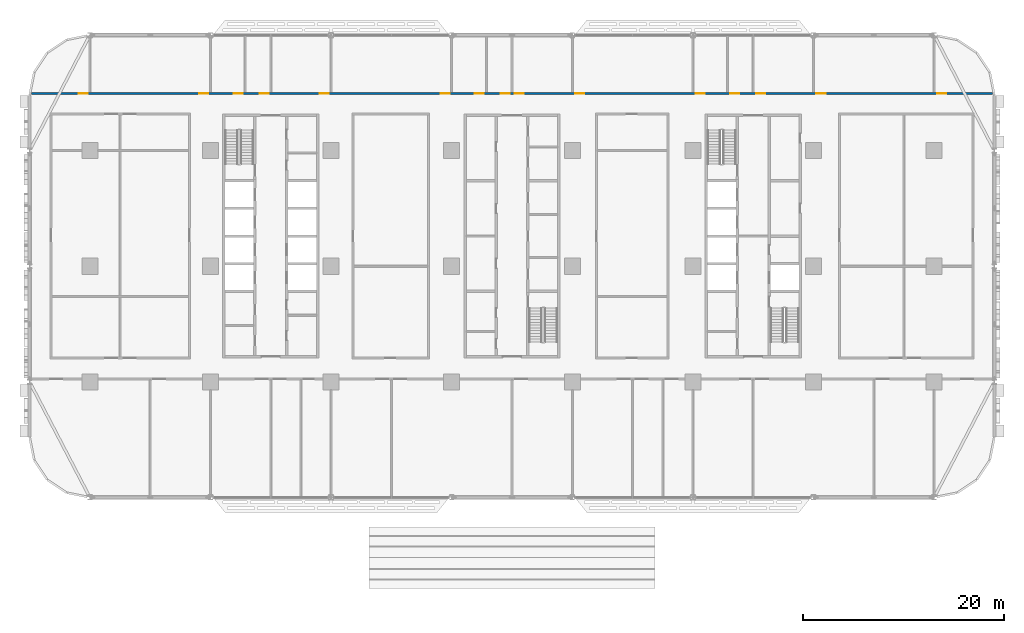
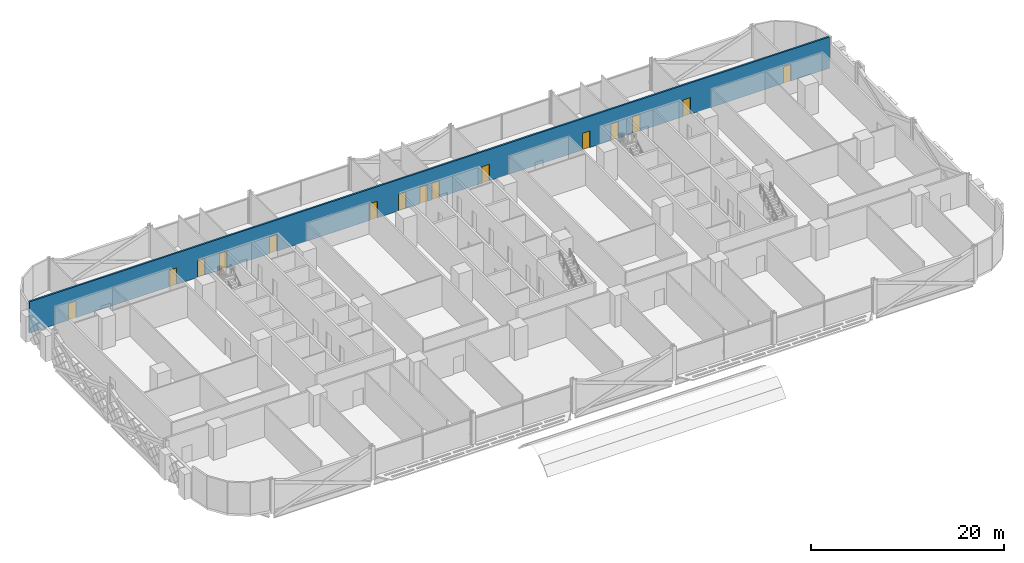
# One storey, part 12 of 26: 15 doors, 1 wall, 15 openings.
"""IFC4 building model written with IfcOpenShell, lengths in metres."""

from ifc_helpers import new_model, si_unit, direction, frame, frame_2d, origin, place, context, subcontext, project, spatial, rectangle, extrude, material, layer, layer_set, type_object, element, fill, save


model = new_model("IFC4")

# Units and contexts
model_context = context("Model", 3, precision=1e-05, world=origin(), true_north=direction((0.0, 1.0)))
body_context = subcontext(model_context, "Body", "Model", "MODEL_VIEW")
ifc_project = project(units=[si_unit("LENGTHUNIT", "METRE"), si_unit("AREAUNIT", "SQUARE_METRE"), si_unit("VOLUMEUNIT", "CUBIC_METRE"), si_unit("PLANEANGLEUNIT", "RADIAN"), si_unit("MASSUNIT", "GRAM", prefix="KILO")], contexts=[model_context])

# Site, building, storey
site_placement = place(None, origin())
site = spatial("IfcSite", under=ifc_project, at=site_placement, CompositionType="ELEMENT")
building_placement = place(site_placement, origin())
building = spatial("IfcBuilding", under=site, at=building_placement, Name="Mahtab Terrace Research Tower", CompositionType="ELEMENT")
storey_placement = place(building_placement, frame((0.0, 0.0, 15.800048828125)))
storey = spatial("IfcBuildingStorey", under=building, at=storey_placement, Name="L03", CompositionType="ELEMENT", Elevation=15.800048828125)

# Wall, openings, doors
ifc_material_1 = material(Name="Gypsum board corridor wall on steel studs", Category="steel")
ifc_layer = layer(ifc_material_1, 0.199951171875)
ifc_layer_set = layer_set([ifc_layer], Name="WALL CORRIDOR 200")
wall_type = type_object("IfcWallType", Name="WALL CORRIDOR 200", PredefinedType="PARTITIONING", material=ifc_layer_set)
wall_placement = place(storey_placement, frame((-47.807373046875, 17.199951171875, 0.0), z_axis=(0.0, 0.0, 1.0), x_axis=(1.0, 0.0, 0.0)))
wall = element("IfcWall", 1, at=wall_placement, inside=storey, type_object=wall_type, Name="L03-W026", PredefinedType="PARTITIONING", context=body_context, shape_type="SweptSolid", body=[
    extrude(rectangle(XDim=95.61474609375, YDim=0.199951171875, at=frame_2d((47.807373046875, 0.0))), origin(), (0.0, 0.0, 1.0), 3.9599609375),
])
opening_1_placement = place(wall_placement, frame((4.699951171875, 0.0, 0.0)))
opening_1 = element("IfcOpeningElement", 2, at=opening_1_placement, cuts=wall, Name="Opening L03-131", PredefinedType="OPENING", context=body_context, shape_type="SweptSolid", body=[
    extrude(rectangle(XDim=0.89990234375, YDim=2.10009765625, at=frame_2d((0.449951171875, 1.050048828125))), frame((0.0, 0.10986328125, 0.0), z_axis=(0.0, -1.0, 0.0), x_axis=(1.0, 0.0, 0.0)), (0.0, 0.0, 1.0), 0.219970703125),
])
opening_2_placement = place(wall_placement, frame((16.699951171875, 0.0, 0.0)))
opening_2 = element("IfcOpeningElement", 3, at=opening_2_placement, cuts=wall, Name="Opening L03-132", PredefinedType="OPENING", context=body_context, shape_type="SweptSolid", body=[
    extrude(rectangle(XDim=0.89990234375, YDim=2.10009765625, at=frame_2d((0.449951171875, 1.050048828125))), frame((0.0, 0.10986328125, 0.0), z_axis=(0.0, -1.0, 0.0), x_axis=(1.0, 0.0, 0.0)), (0.0, 0.0, 1.0), 0.219970703125),
])
opening_3_placement = place(wall_placement, frame((20.10009765625, 0.0, 0.0)))
opening_3 = element("IfcOpeningElement", 4, at=opening_3_placement, cuts=wall, Name="Opening L03-133", PredefinedType="OPENING", context=body_context, shape_type="SweptSolid", body=[
    extrude(rectangle(XDim=0.89990234375, YDim=2.10009765625, at=frame_2d((0.449951171875, 1.050048828125))), frame((0.0, 0.10986328125, 0.0), z_axis=(0.0, -1.0, 0.0), x_axis=(1.0, 0.0, 0.0)), (0.0, 0.0, 1.0), 0.219970703125),
])
opening_4_placement = place(wall_placement, frame((22.699951171875, 0.0, 0.0)))
opening_4 = element("IfcOpeningElement", 5, at=opening_4_placement, cuts=wall, Name="Opening L03-134", PredefinedType="OPENING", context=body_context, shape_type="SweptSolid", body=[
    extrude(rectangle(XDim=0.89990234375, YDim=2.10009765625, at=frame_2d((0.449951171875, 1.050048828125))), frame((0.0, 0.10986328125, 0.0), z_axis=(0.0, -1.0, 0.0), x_axis=(1.0, 0.0, 0.0)), (0.0, 0.0, 1.0), 0.219970703125),
])
opening_5_placement = place(wall_placement, frame((28.699951171875, 0.0, 0.0)))
opening_5 = element("IfcOpeningElement", 6, at=opening_5_placement, cuts=wall, Name="Opening L03-135", PredefinedType="OPENING", context=body_context, shape_type="SweptSolid", body=[
    extrude(rectangle(XDim=0.89990234375, YDim=2.10009765625, at=frame_2d((0.449951171875, 1.050048828125))), frame((0.0, 0.10986328125, 0.0), z_axis=(0.0, -1.0, 0.0), x_axis=(1.0, 0.0, 0.0)), (0.0, 0.0, 1.0), 0.219970703125),
])
opening_6_placement = place(wall_placement, frame((40.699951171875, 0.0, 0.0)))
opening_6 = element("IfcOpeningElement", 7, at=opening_6_placement, cuts=wall, Name="Opening L03-136", PredefinedType="OPENING", context=body_context, shape_type="SweptSolid", body=[
    extrude(rectangle(XDim=0.89990234375, YDim=2.10009765625, at=frame_2d((0.449951171875, 1.050048828125))), frame((0.0, 0.10986328125, 0.0), z_axis=(0.0, -1.0, 0.0), x_axis=(1.0, 0.0, 0.0)), (0.0, 0.0, 1.0), 0.219970703125),
])
opening_7_placement = place(wall_placement, frame((44.10009765625, 0.0, 0.0)))
opening_7 = element("IfcOpeningElement", 8, at=opening_7_placement, cuts=wall, Name="Opening L03-137", PredefinedType="OPENING", context=body_context, shape_type="SweptSolid", body=[
    extrude(rectangle(XDim=0.89990234375, YDim=2.10009765625, at=frame_2d((0.449951171875, 1.050048828125))), frame((0.0, 0.10986328125, 0.0), z_axis=(0.0, -1.0, 0.0), x_axis=(1.0, 0.0, 0.0)), (0.0, 0.0, 1.0), 0.219970703125),
])
opening_8_placement = place(wall_placement, frame((46.699951171875, 0.0, 0.0)))
opening_8 = element("IfcOpeningElement", 9, at=opening_8_placement, cuts=wall, Name="Opening L03-138", PredefinedType="OPENING", context=body_context, shape_type="SweptSolid", body=[
    extrude(rectangle(XDim=0.89990234375, YDim=2.10009765625, at=frame_2d((0.449951171875, 1.050048828125))), frame((0.0, 0.10986328125, 0.0), z_axis=(0.0, -1.0, 0.0), x_axis=(1.0, 0.0, 0.0)), (0.0, 0.0, 1.0), 0.219970703125),
])
opening_9_placement = place(wall_placement, frame((48.10009765625, 0.0, 0.0)))
opening_9 = element("IfcOpeningElement", 10, at=opening_9_placement, cuts=wall, Name="Opening L03-139", PredefinedType="OPENING", context=body_context, shape_type="SweptSolid", body=[
    extrude(rectangle(XDim=0.89990234375, YDim=2.10009765625, at=frame_2d((0.449951171875, 1.050048828125))), frame((0.0, 0.10986328125, 0.0), z_axis=(0.0, -1.0, 0.0), x_axis=(1.0, 0.0, 0.0)), (0.0, 0.0, 1.0), 0.219970703125),
])
opening_10_placement = place(wall_placement, frame((54.10009765625, 0.0, 0.0)))
opening_10 = element("IfcOpeningElement", 11, at=opening_10_placement, cuts=wall, Name="Opening L03-140", PredefinedType="OPENING", context=body_context, shape_type="SweptSolid", body=[
    extrude(rectangle(XDim=0.89990234375, YDim=2.10009765625, at=frame_2d((0.449951171875, 1.050048828125))), frame((0.0, 0.10986328125, 0.0), z_axis=(0.0, -1.0, 0.0), x_axis=(1.0, 0.0, 0.0)), (0.0, 0.0, 1.0), 0.219970703125),
])
opening_11_placement = place(wall_placement, frame((66.10009765625, 0.0, 0.0)))
opening_11 = element("IfcOpeningElement", 12, at=opening_11_placement, cuts=wall, Name="Opening L03-141", PredefinedType="OPENING", context=body_context, shape_type="SweptSolid", body=[
    extrude(rectangle(XDim=0.89990234375, YDim=2.10009765625, at=frame_2d((0.449951171875, 1.050048828125))), frame((0.0, 0.10986328125, 0.0), z_axis=(0.0, -1.0, 0.0), x_axis=(1.0, 0.0, 0.0)), (0.0, 0.0, 1.0), 0.219970703125),
])
opening_12_placement = place(wall_placement, frame((69.5, 0.0, 0.0)))
opening_12 = element("IfcOpeningElement", 13, at=opening_12_placement, cuts=wall, Name="Opening L03-142", PredefinedType="OPENING", context=body_context, shape_type="SweptSolid", body=[
    extrude(rectangle(XDim=0.89990234375, YDim=2.10009765625, at=frame_2d((0.449951171875, 1.050048828125))), frame((0.0, 0.10986328125, 0.0), z_axis=(0.0, -1.0, 0.0), x_axis=(1.0, 0.0, 0.0)), (0.0, 0.0, 1.0), 0.219970703125),
])
opening_13_placement = place(wall_placement, frame((72.10009765625, 0.0, 0.0)))
opening_13 = element("IfcOpeningElement", 14, at=opening_13_placement, cuts=wall, Name="Opening L03-143", PredefinedType="OPENING", context=body_context, shape_type="SweptSolid", body=[
    extrude(rectangle(XDim=0.89990234375, YDim=2.10009765625, at=frame_2d((0.449951171875, 1.050048828125))), frame((0.0, 0.10986328125, 0.0), z_axis=(0.0, -1.0, 0.0), x_axis=(1.0, 0.0, 0.0)), (0.0, 0.0, 1.0), 0.219970703125),
])
opening_14_placement = place(wall_placement, frame((78.10009765625, 0.0, 0.0)))
opening_14 = element("IfcOpeningElement", 15, at=opening_14_placement, cuts=wall, Name="Opening L03-144", PredefinedType="OPENING", context=body_context, shape_type="SweptSolid", body=[
    extrude(rectangle(XDim=0.89990234375, YDim=2.10009765625, at=frame_2d((0.449951171875, 1.050048828125))), frame((0.0, 0.10986328125, 0.0), z_axis=(0.0, -1.0, 0.0), x_axis=(1.0, 0.0, 0.0)), (0.0, 0.0, 1.0), 0.219970703125),
])
opening_15_placement = place(wall_placement, frame((90.10009765625, 0.0, 0.0)))
opening_15 = element("IfcOpeningElement", 16, at=opening_15_placement, cuts=wall, Name="Opening L03-145", PredefinedType="OPENING", context=body_context, shape_type="SweptSolid", body=[
    extrude(rectangle(XDim=0.89990234375, YDim=2.10009765625, at=frame_2d((0.449951171875, 1.050048828125))), frame((0.0, 0.10986328125, 0.0), z_axis=(0.0, -1.0, 0.0), x_axis=(1.0, 0.0, 0.0)), (0.0, 0.0, 1.0), 0.219970703125),
])
ifc_material_2 = material(Name="Timber door leaf in steel frame", Category="steel")
door_type = type_object("IfcDoorType", Name="DOOR 0900X2100 FD30S", OperationType="SINGLE_SWING_LEFT", PredefinedType="DOOR", material=ifc_material_2)
door_1_placement = place(opening_1_placement, origin())
door_1 = element("IfcDoor", 17, at=door_1_placement, inside=storey, type_object=door_type, Name="Door L03-131", OperationType="SINGLE_SWING_LEFT", OverallHeight=2.10009765625, OverallWidth=0.89990234375, PredefinedType="DOOR", context=body_context, shape_type="SweptSolid", body=[
    extrude(rectangle(XDim=0.89990234375, YDim=2.10009765625, at=frame_2d((0.449951171875, 1.050048828125))), frame((0.0, 0.02490234375, 0.0), z_axis=(0.0, -1.0, 0.0), x_axis=(1.0, 0.0, 0.0)), (0.0, 0.0, 1.0), 0.050048828125),
])
fill(opening_1, door_1)
door_2_placement = place(opening_2_placement, origin())
door_2 = element("IfcDoor", 18, at=door_2_placement, inside=storey, type_object=door_type, Name="Door L03-132", OperationType="SINGLE_SWING_LEFT", OverallHeight=2.10009765625, OverallWidth=0.89990234375, PredefinedType="DOOR", context=body_context, shape_type="SweptSolid", body=[
    extrude(rectangle(XDim=0.89990234375, YDim=2.10009765625, at=frame_2d((0.449951171875, 1.050048828125))), frame((0.0, 0.02490234375, 0.0), z_axis=(0.0, -1.0, 0.0), x_axis=(1.0, 0.0, 0.0)), (0.0, 0.0, 1.0), 0.050048828125),
])
fill(opening_2, door_2)
door_3_placement = place(opening_3_placement, origin())
door_3 = element("IfcDoor", 19, at=door_3_placement, inside=storey, type_object=door_type, Name="Door L03-133", OperationType="SINGLE_SWING_LEFT", OverallHeight=2.10009765625, OverallWidth=0.89990234375, PredefinedType="DOOR", context=body_context, shape_type="SweptSolid", body=[
    extrude(rectangle(XDim=0.89990234375, YDim=2.10009765625, at=frame_2d((0.449951171875, 1.050048828125))), frame((0.0, 0.02490234375, 0.0), z_axis=(0.0, -1.0, 0.0), x_axis=(1.0, 0.0, 0.0)), (0.0, 0.0, 1.0), 0.050048828125),
])
fill(opening_3, door_3)
door_4_placement = place(opening_4_placement, origin())
door_4 = element("IfcDoor", 20, at=door_4_placement, inside=storey, type_object=door_type, Name="Door L03-134", OperationType="SINGLE_SWING_LEFT", OverallHeight=2.10009765625, OverallWidth=0.89990234375, PredefinedType="DOOR", context=body_context, shape_type="SweptSolid", body=[
    extrude(rectangle(XDim=0.89990234375, YDim=2.10009765625, at=frame_2d((0.449951171875, 1.050048828125))), frame((0.0, 0.02490234375, 0.0), z_axis=(0.0, -1.0, 0.0), x_axis=(1.0, 0.0, 0.0)), (0.0, 0.0, 1.0), 0.050048828125),
])
fill(opening_4, door_4)
door_5_placement = place(opening_5_placement, origin())
door_5 = element("IfcDoor", 21, at=door_5_placement, inside=storey, type_object=door_type, Name="Door L03-135", OperationType="SINGLE_SWING_LEFT", OverallHeight=2.10009765625, OverallWidth=0.89990234375, PredefinedType="DOOR", context=body_context, shape_type="SweptSolid", body=[
    extrude(rectangle(XDim=0.89990234375, YDim=2.10009765625, at=frame_2d((0.449951171875, 1.050048828125))), frame((0.0, 0.02490234375, 0.0), z_axis=(0.0, -1.0, 0.0), x_axis=(1.0, 0.0, 0.0)), (0.0, 0.0, 1.0), 0.050048828125),
])
fill(opening_5, door_5)
door_6_placement = place(opening_6_placement, origin())
door_6 = element("IfcDoor", 22, at=door_6_placement, inside=storey, type_object=door_type, Name="Door L03-136", OperationType="SINGLE_SWING_LEFT", OverallHeight=2.10009765625, OverallWidth=0.89990234375, PredefinedType="DOOR", context=body_context, shape_type="SweptSolid", body=[
    extrude(rectangle(XDim=0.89990234375, YDim=2.10009765625, at=frame_2d((0.449951171875, 1.050048828125))), frame((0.0, 0.02490234375, 0.0), z_axis=(0.0, -1.0, 0.0), x_axis=(1.0, 0.0, 0.0)), (0.0, 0.0, 1.0), 0.050048828125),
])
fill(opening_6, door_6)
door_7_placement = place(opening_7_placement, origin())
door_7 = element("IfcDoor", 23, at=door_7_placement, inside=storey, type_object=door_type, Name="Door L03-137", OperationType="SINGLE_SWING_LEFT", OverallHeight=2.10009765625, OverallWidth=0.89990234375, PredefinedType="DOOR", context=body_context, shape_type="SweptSolid", body=[
    extrude(rectangle(XDim=0.89990234375, YDim=2.10009765625, at=frame_2d((0.449951171875, 1.050048828125))), frame((0.0, 0.02490234375, 0.0), z_axis=(0.0, -1.0, 0.0), x_axis=(1.0, 0.0, 0.0)), (0.0, 0.0, 1.0), 0.050048828125),
])
fill(opening_7, door_7)
door_8_placement = place(opening_8_placement, origin())
door_8 = element("IfcDoor", 24, at=door_8_placement, inside=storey, type_object=door_type, Name="Door L03-138", OperationType="SINGLE_SWING_LEFT", OverallHeight=2.10009765625, OverallWidth=0.89990234375, PredefinedType="DOOR", context=body_context, shape_type="SweptSolid", body=[
    extrude(rectangle(XDim=0.89990234375, YDim=2.10009765625, at=frame_2d((0.449951171875, 1.050048828125))), frame((0.0, 0.02490234375, 0.0), z_axis=(0.0, -1.0, 0.0), x_axis=(1.0, 0.0, 0.0)), (0.0, 0.0, 1.0), 0.050048828125),
])
fill(opening_8, door_8)
door_9_placement = place(opening_9_placement, origin())
door_9 = element("IfcDoor", 25, at=door_9_placement, inside=storey, type_object=door_type, Name="Door L03-139", OperationType="SINGLE_SWING_RIGHT", OverallHeight=2.10009765625, OverallWidth=0.89990234375, PredefinedType="DOOR", context=body_context, shape_type="SweptSolid", body=[
    extrude(rectangle(XDim=0.89990234375, YDim=2.10009765625, at=frame_2d((0.449951171875, 1.050048828125))), frame((0.0, 0.02490234375, 0.0), z_axis=(0.0, -1.0, 0.0), x_axis=(1.0, 0.0, 0.0)), (0.0, 0.0, 1.0), 0.050048828125),
])
fill(opening_9, door_9)
door_10_placement = place(opening_10_placement, origin())
door_10 = element("IfcDoor", 26, at=door_10_placement, inside=storey, type_object=door_type, Name="Door L03-140", OperationType="SINGLE_SWING_RIGHT", OverallHeight=2.10009765625, OverallWidth=0.89990234375, PredefinedType="DOOR", context=body_context, shape_type="SweptSolid", body=[
    extrude(rectangle(XDim=0.89990234375, YDim=2.10009765625, at=frame_2d((0.449951171875, 1.050048828125))), frame((0.0, 0.02490234375, 0.0), z_axis=(0.0, -1.0, 0.0), x_axis=(1.0, 0.0, 0.0)), (0.0, 0.0, 1.0), 0.050048828125),
])
fill(opening_10, door_10)
door_11_placement = place(opening_11_placement, origin())
door_11 = element("IfcDoor", 27, at=door_11_placement, inside=storey, type_object=door_type, Name="Door L03-141", OperationType="SINGLE_SWING_RIGHT", OverallHeight=2.10009765625, OverallWidth=0.89990234375, PredefinedType="DOOR", context=body_context, shape_type="SweptSolid", body=[
    extrude(rectangle(XDim=0.89990234375, YDim=2.10009765625, at=frame_2d((0.449951171875, 1.050048828125))), frame((0.0, 0.02490234375, 0.0), z_axis=(0.0, -1.0, 0.0), x_axis=(1.0, 0.0, 0.0)), (0.0, 0.0, 1.0), 0.050048828125),
])
fill(opening_11, door_11)
door_12_placement = place(opening_12_placement, origin())
door_12 = element("IfcDoor", 28, at=door_12_placement, inside=storey, type_object=door_type, Name="Door L03-142", OperationType="SINGLE_SWING_RIGHT", OverallHeight=2.10009765625, OverallWidth=0.89990234375, PredefinedType="DOOR", context=body_context, shape_type="SweptSolid", body=[
    extrude(rectangle(XDim=0.89990234375, YDim=2.10009765625, at=frame_2d((0.449951171875, 1.050048828125))), frame((0.0, 0.02490234375, 0.0), z_axis=(0.0, -1.0, 0.0), x_axis=(1.0, 0.0, 0.0)), (0.0, 0.0, 1.0), 0.050048828125),
])
fill(opening_12, door_12)
door_13_placement = place(opening_13_placement, origin())
door_13 = element("IfcDoor", 29, at=door_13_placement, inside=storey, type_object=door_type, Name="Door L03-143", OperationType="SINGLE_SWING_RIGHT", OverallHeight=2.10009765625, OverallWidth=0.89990234375, PredefinedType="DOOR", context=body_context, shape_type="SweptSolid", body=[
    extrude(rectangle(XDim=0.89990234375, YDim=2.10009765625, at=frame_2d((0.449951171875, 1.050048828125))), frame((0.0, 0.02490234375, 0.0), z_axis=(0.0, -1.0, 0.0), x_axis=(1.0, 0.0, 0.0)), (0.0, 0.0, 1.0), 0.050048828125),
])
fill(opening_13, door_13)
door_14_placement = place(opening_14_placement, origin())
door_14 = element("IfcDoor", 30, at=door_14_placement, inside=storey, type_object=door_type, Name="Door L03-144", OperationType="SINGLE_SWING_RIGHT", OverallHeight=2.10009765625, OverallWidth=0.89990234375, PredefinedType="DOOR", context=body_context, shape_type="SweptSolid", body=[
    extrude(rectangle(XDim=0.89990234375, YDim=2.10009765625, at=frame_2d((0.449951171875, 1.050048828125))), frame((0.0, 0.02490234375, 0.0), z_axis=(0.0, -1.0, 0.0), x_axis=(1.0, 0.0, 0.0)), (0.0, 0.0, 1.0), 0.050048828125),
])
fill(opening_14, door_14)
door_15_placement = place(opening_15_placement, origin())
door_15 = element("IfcDoor", 31, at=door_15_placement, inside=storey, type_object=door_type, Name="Door L03-145", OperationType="SINGLE_SWING_RIGHT", OverallHeight=2.10009765625, OverallWidth=0.89990234375, PredefinedType="DOOR", context=body_context, shape_type="SweptSolid", body=[
    extrude(rectangle(XDim=0.89990234375, YDim=2.10009765625, at=frame_2d((0.449951171875, 1.050048828125))), frame((0.0, 0.02490234375, 0.0), z_axis=(0.0, -1.0, 0.0), x_axis=(1.0, 0.0, 0.0)), (0.0, 0.0, 1.0), 0.050048828125),
])
fill(opening_15, door_15)

save(model, "model.ifc")
